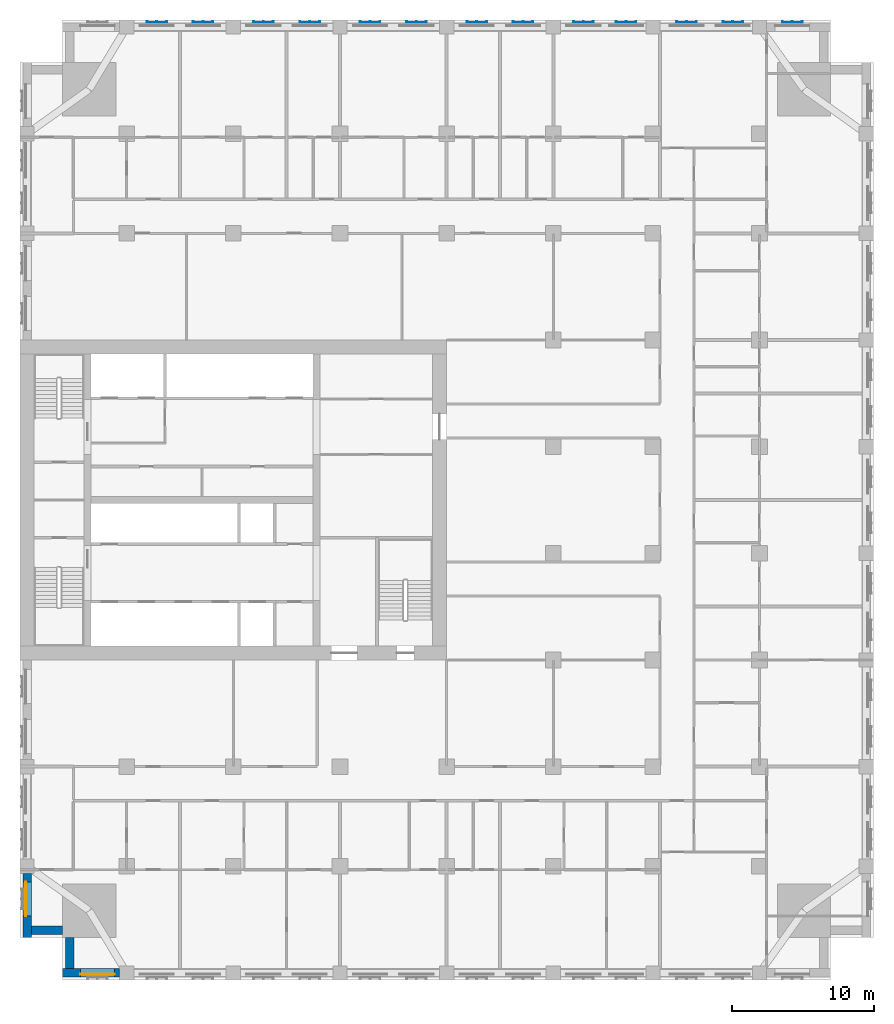
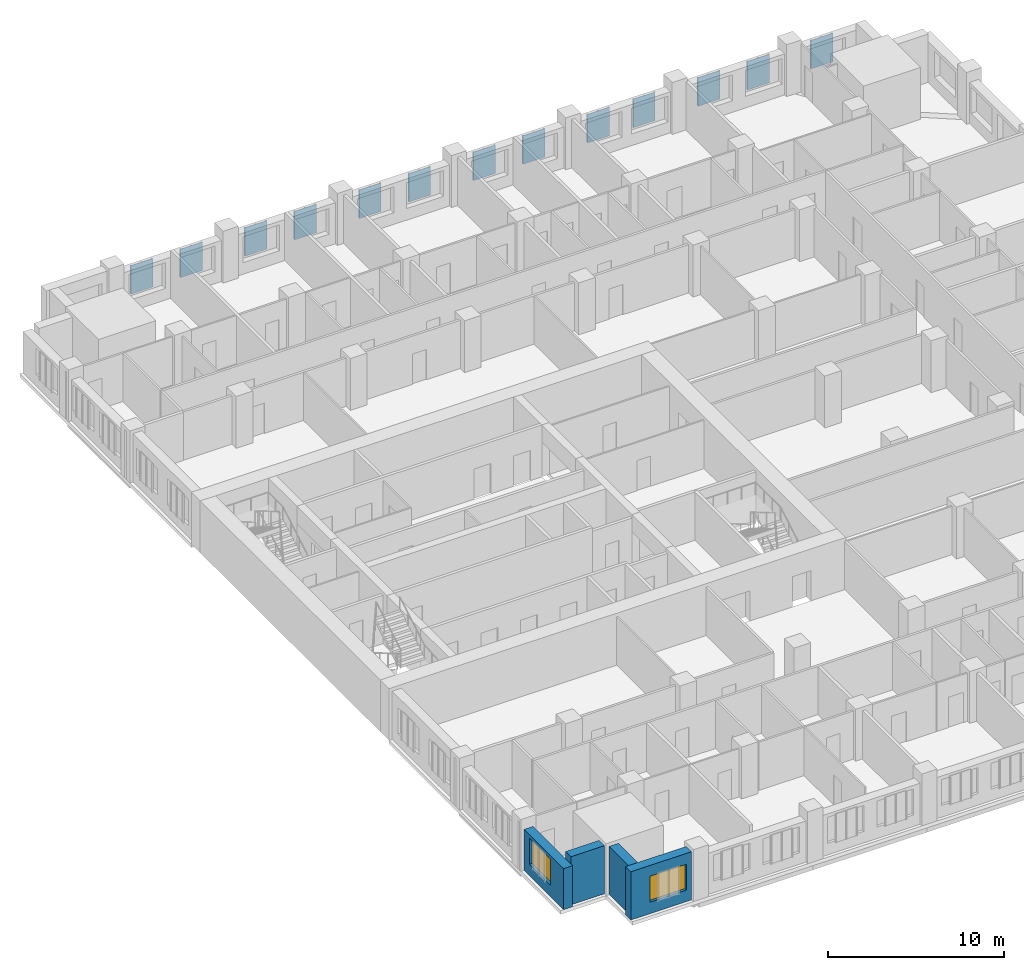
# One storey, part 3 of 14: 13 plates, 4 walls, 2 windows, 2 openings.
"""IFC4 building model written with IfcOpenShell, lengths in metres."""

from ifc_helpers import new_model, si_unit, direction, frame, frame_2d, origin, place, context, subcontext, project, spatial, polyline, rectangle, outline, extrude, material, layer, layer_set, type_object, element, fill, save


model = new_model("IFC4")

# Units and contexts
model_context = context("Model", 3, precision=1e-05, world=origin(), true_north=direction((0.0, 1.0)))
body_context = subcontext(model_context, "Body", "Model", "MODEL_VIEW")
ifc_project = project(units=[si_unit("LENGTHUNIT", "METRE"), si_unit("AREAUNIT", "SQUARE_METRE"), si_unit("VOLUMEUNIT", "CUBIC_METRE"), si_unit("PLANEANGLEUNIT", "RADIAN"), si_unit("MASSUNIT", "GRAM", prefix="KILO")], contexts=[model_context])

# Site, building, storey
site_placement = place(None, origin())
site = spatial("IfcSite", under=ifc_project, at=site_placement, CompositionType="ELEMENT")
building_placement = place(site_placement, origin())
building = spatial("IfcBuilding", under=site, at=building_placement, Name="Tamorin Gate", CompositionType="ELEMENT")
storey_placement = place(building_placement, frame((0.0, 0.0, 93.5)))
storey = spatial("IfcBuildingStorey", under=building, at=storey_placement, Name="L22", CompositionType="ELEMENT", Elevation=93.5)

# Plates
ifc_material_1 = material(Name="Perforated pale aluminium sheet", Category="aluminium")
ifc_layer_1 = layer(ifc_material_1, 0.0400390625)
ifc_layer_set_1 = layer_set([ifc_layer_1], Name="Pale metal solar screen 1440")
plate_type = type_object("IfcPlateType", Name="Pale metal solar screen 1440", PredefinedType="SHEET", material=ifc_layer_set_1)
plate_1_placement = place(storey_placement, frame((0.0, 0.0, 0.7099609375)))
element("IfcPlate", 1, at=plate_1_placement, inside=storey, type_object=plate_type, Name="Perforated solar screen", PredefinedType="SHEET", context=body_context, shape_type="SweptSolid", body=[
    extrude(outline(polyline([(85.02001953125, 104.840087890625), (85.02001953125, 104.800048828125), (84.9599609375, 104.800048828125), (84.330078125, 104.800048828125), (84.27001953125, 104.800048828125), (83.639892578125, 104.800048828125), (83.580078125, 104.800048828125), (83.580078125, 104.840087890625), (83.580078125, 104.89990234375), (83.639892578125, 104.89990234375), (83.639892578125, 104.840087890625), (84.27001953125, 104.840087890625), (84.27001953125, 104.89990234375), (84.330078125, 104.89990234375), (84.330078125, 104.840087890625), (84.9599609375, 104.840087890625), (84.9599609375, 104.89990234375), (85.02001953125, 104.89990234375), (85.02001953125, 104.840087890625)])), origin(), (0.0, 0.0, 1.0), 1.97998046875),
])
plate_2_placement = place(storey_placement, frame((0.0, 0.0, 0.7099609375)))
element("IfcPlate", 2, at=plate_2_placement, inside=storey, type_object=plate_type, Name="Perforated solar screen", PredefinedType="SHEET", context=body_context, shape_type="SweptSolid", body=[
    extrude(outline(polyline([(77.594970703125, 104.840087890625), (77.594970703125, 104.800048828125), (77.534912109375, 104.800048828125), (76.905029296875, 104.800048828125), (76.844970703125, 104.800048828125), (76.215087890625, 104.800048828125), (76.155029296875, 104.800048828125), (76.155029296875, 104.840087890625), (76.155029296875, 104.89990234375), (76.215087890625, 104.89990234375), (76.215087890625, 104.840087890625), (76.844970703125, 104.840087890625), (76.844970703125, 104.89990234375), (76.905029296875, 104.89990234375), (76.905029296875, 104.840087890625), (77.534912109375, 104.840087890625), (77.534912109375, 104.89990234375), (77.594970703125, 104.89990234375), (77.594970703125, 104.840087890625)])), origin(), (0.0, 0.0, 1.0), 1.97998046875),
])
plate_3_placement = place(storey_placement, frame((0.0, 0.0, 0.7099609375)))
element("IfcPlate", 3, at=plate_3_placement, inside=storey, type_object=plate_type, Name="Perforated solar screen", PredefinedType="SHEET", context=body_context, shape_type="SweptSolid", body=[
    extrude(outline(polyline([(80.844970703125, 104.840087890625), (80.844970703125, 104.800048828125), (80.784912109375, 104.800048828125), (80.155029296875, 104.800048828125), (80.094970703125, 104.800048828125), (79.465087890625, 104.800048828125), (79.405029296875, 104.800048828125), (79.405029296875, 104.800048828125), (79.405029296875, 104.840087890625), (79.405029296875, 104.840087890625), (79.405029296875, 104.89990234375), (79.465087890625, 104.89990234375), (79.465087890625, 104.840087890625), (80.094970703125, 104.840087890625), (80.094970703125, 104.89990234375), (80.155029296875, 104.89990234375), (80.155029296875, 104.840087890625), (80.784912109375, 104.840087890625), (80.784912109375, 104.89990234375), (80.844970703125, 104.89990234375), (80.844970703125, 104.840087890625)])), origin(), (0.0, 0.0, 1.0), 1.97998046875),
])
plate_4_placement = place(storey_placement, frame((0.0, 0.0, 0.7099609375)))
element("IfcPlate", 4, at=plate_4_placement, inside=storey, type_object=plate_type, Name="Perforated solar screen", PredefinedType="SHEET", context=body_context, shape_type="SweptSolid", body=[
    extrude(outline(polyline([(70.344970703125, 104.840087890625), (70.344970703125, 104.800048828125), (70.284912109375, 104.800048828125), (69.655029296875, 104.800048828125), (69.594970703125, 104.800048828125), (68.965087890625, 104.800048828125), (68.905029296875, 104.800048828125), (68.905029296875, 104.840087890625), (68.905029296875, 104.89990234375), (68.965087890625, 104.89990234375), (68.965087890625, 104.840087890625), (69.594970703125, 104.840087890625), (69.594970703125, 104.89990234375), (69.655029296875, 104.89990234375), (69.655029296875, 104.840087890625), (70.284912109375, 104.840087890625), (70.284912109375, 104.89990234375), (70.344970703125, 104.89990234375), (70.344970703125, 104.840087890625)])), origin(), (0.0, 0.0, 1.0), 1.97998046875),
])
plate_5_placement = place(storey_placement, frame((0.0, 0.0, 0.7099609375)))
element("IfcPlate", 5, at=plate_5_placement, inside=storey, type_object=plate_type, Name="Perforated solar screen", PredefinedType="SHEET", context=body_context, shape_type="SweptSolid", body=[
    extrude(outline(polyline([(73.344970703125, 104.840087890625), (73.344970703125, 104.800048828125), (73.284912109375, 104.800048828125), (72.655029296875, 104.800048828125), (72.594970703125, 104.800048828125), (71.965087890625, 104.800048828125), (71.905029296875, 104.800048828125), (71.905029296875, 104.840087890625), (71.905029296875, 104.89990234375), (71.965087890625, 104.89990234375), (71.965087890625, 104.840087890625), (72.594970703125, 104.840087890625), (72.594970703125, 104.89990234375), (72.655029296875, 104.89990234375), (72.655029296875, 104.840087890625), (73.284912109375, 104.840087890625), (73.284912109375, 104.89990234375), (73.344970703125, 104.89990234375), (73.344970703125, 104.840087890625)])), origin(), (0.0, 0.0, 1.0), 1.97998046875),
])
plate_6_placement = place(storey_placement, frame((0.0, 0.0, 0.7099609375)))
element("IfcPlate", 6, at=plate_6_placement, inside=storey, type_object=plate_type, Name="Perforated solar screen", PredefinedType="SHEET", context=body_context, shape_type="SweptSolid", body=[
    extrude(outline(polyline([(62.844970703125, 104.840087890625), (62.844970703125, 104.800048828125), (62.784912109375, 104.800048828125), (62.155029296875, 104.800048828125), (62.094970703125, 104.800048828125), (61.465087890625, 104.800048828125), (61.405029296875, 104.800048828125), (61.405029296875, 104.840087890625), (61.405029296875, 104.89990234375), (61.465087890625, 104.89990234375), (61.465087890625, 104.840087890625), (62.094970703125, 104.840087890625), (62.094970703125, 104.89990234375), (62.155029296875, 104.89990234375), (62.155029296875, 104.840087890625), (62.784912109375, 104.840087890625), (62.784912109375, 104.89990234375), (62.844970703125, 104.89990234375), (62.844970703125, 104.840087890625)])), origin(), (0.0, 0.0, 1.0), 1.97998046875),
])
plate_7_placement = place(storey_placement, frame((0.0, 0.0, 0.7099609375)))
element("IfcPlate", 7, at=plate_7_placement, inside=storey, type_object=plate_type, Name="Perforated solar screen", PredefinedType="SHEET", context=body_context, shape_type="SweptSolid", body=[
    extrude(outline(polyline([(66.094970703125, 104.840087890625), (66.094970703125, 104.800048828125), (66.034912109375, 104.800048828125), (65.405029296875, 104.800048828125), (65.344970703125, 104.800048828125), (64.715087890625, 104.800048828125), (64.655029296875, 104.800048828125), (64.655029296875, 104.840087890625), (64.655029296875, 104.89990234375), (64.715087890625, 104.89990234375), (64.715087890625, 104.840087890625), (65.344970703125, 104.840087890625), (65.344970703125, 104.89990234375), (65.405029296875, 104.89990234375), (65.405029296875, 104.840087890625), (66.034912109375, 104.840087890625), (66.034912109375, 104.89990234375), (66.094970703125, 104.89990234375), (66.094970703125, 104.840087890625)])), origin(), (0.0, 0.0, 1.0), 1.97998046875),
])
plate_8_placement = place(storey_placement, frame((0.0, 0.0, 0.7099609375)))
element("IfcPlate", 8, at=plate_8_placement, inside=storey, type_object=plate_type, Name="Perforated solar screen", PredefinedType="SHEET", context=body_context, shape_type="SweptSolid", body=[
    extrude(outline(polyline([(55.344970703125, 104.840087890625), (55.344970703125, 104.800048828125), (55.284912109375, 104.800048828125), (54.655029296875, 104.800048828125), (54.594970703125, 104.800048828125), (53.965087890625, 104.800048828125), (53.905029296875, 104.800048828125), (53.905029296875, 104.840087890625), (53.905029296875, 104.89990234375), (53.965087890625, 104.89990234375), (53.965087890625, 104.840087890625), (54.594970703125, 104.840087890625), (54.594970703125, 104.89990234375), (54.655029296875, 104.89990234375), (54.655029296875, 104.840087890625), (55.284912109375, 104.840087890625), (55.284912109375, 104.89990234375), (55.344970703125, 104.89990234375), (55.344970703125, 104.840087890625)])), origin(), (0.0, 0.0, 1.0), 1.97998046875),
])
plate_9_placement = place(storey_placement, frame((0.0, 0.0, 0.7099609375)))
element("IfcPlate", 9, at=plate_9_placement, inside=storey, type_object=plate_type, Name="Perforated solar screen", PredefinedType="SHEET", context=body_context, shape_type="SweptSolid", body=[
    extrude(outline(polyline([(58.594970703125, 104.840087890625), (58.594970703125, 104.800048828125), (58.534912109375, 104.800048828125), (57.905029296875, 104.800048828125), (57.844970703125, 104.800048828125), (57.215087890625, 104.800048828125), (57.155029296875, 104.800048828125), (57.155029296875, 104.840087890625), (57.155029296875, 104.89990234375), (57.215087890625, 104.89990234375), (57.215087890625, 104.840087890625), (57.844970703125, 104.840087890625), (57.844970703125, 104.89990234375), (57.905029296875, 104.89990234375), (57.905029296875, 104.840087890625), (58.534912109375, 104.840087890625), (58.534912109375, 104.89990234375), (58.594970703125, 104.89990234375), (58.594970703125, 104.840087890625)])), origin(), (0.0, 0.0, 1.0), 1.97998046875),
])
plate_10_placement = place(storey_placement, frame((0.0, 0.0, 0.7099609375)))
element("IfcPlate", 10, at=plate_10_placement, inside=storey, type_object=plate_type, Name="Perforated solar screen", PredefinedType="SHEET", context=body_context, shape_type="SweptSolid", body=[
    extrude(outline(polyline([(47.844970703125, 104.840087890625), (47.844970703125, 104.800048828125), (47.784912109375, 104.800048828125), (47.155029296875, 104.800048828125), (47.094970703125, 104.800048828125), (46.465087890625, 104.800048828125), (46.405029296875, 104.800048828125), (46.405029296875, 104.840087890625), (46.405029296875, 104.89990234375), (46.465087890625, 104.89990234375), (46.465087890625, 104.840087890625), (47.094970703125, 104.840087890625), (47.094970703125, 104.89990234375), (47.155029296875, 104.89990234375), (47.155029296875, 104.840087890625), (47.784912109375, 104.840087890625), (47.784912109375, 104.89990234375), (47.844970703125, 104.89990234375), (47.844970703125, 104.840087890625)])), origin(), (0.0, 0.0, 1.0), 1.97998046875),
])
plate_11_placement = place(storey_placement, frame((0.0, 0.0, 0.7099609375)))
element("IfcPlate", 11, at=plate_11_placement, inside=storey, type_object=plate_type, Name="Perforated solar screen", PredefinedType="SHEET", context=body_context, shape_type="SweptSolid", body=[
    extrude(outline(polyline([(51.094970703125, 104.840087890625), (51.094970703125, 104.800048828125), (51.034912109375, 104.800048828125), (50.405029296875, 104.800048828125), (50.344970703125, 104.800048828125), (49.715087890625, 104.800048828125), (49.655029296875, 104.800048828125), (49.655029296875, 104.840087890625), (49.655029296875, 104.89990234375), (49.715087890625, 104.89990234375), (49.715087890625, 104.840087890625), (50.344970703125, 104.840087890625), (50.344970703125, 104.89990234375), (50.405029296875, 104.89990234375), (50.405029296875, 104.840087890625), (51.034912109375, 104.840087890625), (51.034912109375, 104.89990234375), (51.094970703125, 104.89990234375), (51.094970703125, 104.840087890625)])), origin(), (0.0, 0.0, 1.0), 1.97998046875),
])
plate_12_placement = place(storey_placement, frame((0.0, 0.0, 0.7099609375)))
element("IfcPlate", 12, at=plate_12_placement, inside=storey, type_object=plate_type, Name="Perforated solar screen", PredefinedType="SHEET", context=body_context, shape_type="SweptSolid", body=[
    extrude(outline(polyline([(40.344970703125, 104.840087890625), (40.344970703125, 104.800048828125), (40.284912109375, 104.800048828125), (39.655029296875, 104.800048828125), (39.594970703125, 104.800048828125), (38.965087890625, 104.800048828125), (38.905029296875, 104.800048828125), (38.905029296875, 104.840087890625), (38.905029296875, 104.89990234375), (38.965087890625, 104.89990234375), (38.965087890625, 104.840087890625), (39.594970703125, 104.840087890625), (39.594970703125, 104.89990234375), (39.655029296875, 104.89990234375), (39.655029296875, 104.840087890625), (40.284912109375, 104.840087890625), (40.284912109375, 104.89990234375), (40.344970703125, 104.89990234375), (40.344970703125, 104.840087890625)])), origin(), (0.0, 0.0, 1.0), 1.97998046875),
])
plate_13_placement = place(storey_placement, frame((0.0, 0.0, 0.7099609375)))
element("IfcPlate", 13, at=plate_13_placement, inside=storey, type_object=plate_type, Name="Perforated solar screen", PredefinedType="SHEET", context=body_context, shape_type="SweptSolid", body=[
    extrude(outline(polyline([(43.594970703125, 104.840087890625), (43.594970703125, 104.800048828125), (43.534912109375, 104.800048828125), (42.905029296875, 104.800048828125), (42.844970703125, 104.800048828125), (42.215087890625, 104.800048828125), (42.155029296875, 104.800048828125), (42.155029296875, 104.840087890625), (42.155029296875, 104.89990234375), (42.215087890625, 104.89990234375), (42.215087890625, 104.840087890625), (42.844970703125, 104.840087890625), (42.844970703125, 104.89990234375), (42.905029296875, 104.89990234375), (42.905029296875, 104.840087890625), (43.534912109375, 104.840087890625), (43.534912109375, 104.89990234375), (43.594970703125, 104.89990234375), (43.594970703125, 104.840087890625)])), origin(), (0.0, 0.0, 1.0), 1.97998046875),
])

# Wall, opening, window
ifc_material_2 = material(Name="Precast concrete C40/50", Category="concrete")
ifc_layer_2 = layer(ifc_material_2, 0.60009765625)
ifc_layer_set_2 = layer_set([ifc_layer_2], Name="Precast concrete C40/50")
wall_type = type_object("IfcWallType", Name="Board-marked concrete facade panel 600", PredefinedType="SOLIDWALL", material=ifc_layer_set_2)
wall_1_placement = place(storey_placement, frame((33.0, 38.0, 0.0), z_axis=(0.0, 0.0, 1.0), x_axis=(1.0, 0.0, 0.0)))
wall_1 = element("IfcWall", 14, at=wall_1_placement, inside=storey, type_object=wall_type, Name="Facade panel", PredefinedType="SOLIDWALL", context=body_context, shape_type="SweptSolid", body=[
    extrude(rectangle(XDim=4.0, YDim=0.60009765625, at=frame_2d((2.0, 0.0))), origin(), (0.0, 0.0, 1.0), 3.35009765625),
])
opening_1_placement = place(wall_1_placement, frame((1.25, 0.0, 0.800048828125)))
opening_1 = element("IfcOpeningElement", 15, at=opening_1_placement, cuts=wall_1, Name="Opening WN1", PredefinedType="OPENING", context=body_context, shape_type="SweptSolid", body=[
    extrude(rectangle(XDim=2.39990234375, YDim=1.800048828125, at=frame_2d((1.199951171875, 0.89990234375))), frame((0.0, 0.31005859375, 0.0), z_axis=(0.0, -1.0, 0.0), x_axis=(1.0, 0.0, 0.0)), (0.0, 0.0, 1.0), 0.6201171875),
])
ifc_material_3 = material(Name="Clear glass in aluminium frame", Category="aluminium")
window_type = type_object("IfcWindowType", Name="Deep-set window 2400x1800", PartitioningType="SINGLE_PANEL", PredefinedType="WINDOW", material=ifc_material_3)
window_1_placement = place(opening_1_placement, origin())
window_1 = element("IfcWindow", 16, at=window_1_placement, inside=storey, type_object=window_type, Name="Deep-set window", OverallHeight=1.800048828125, OverallWidth=2.39990234375, PartitioningType="SINGLE_PANEL", PredefinedType="WINDOW", context=body_context, shape_type="SweptSolid", body=[
    extrude(rectangle(XDim=2.39990234375, YDim=1.800048828125, at=frame_2d((1.199951171875, 0.89990234375))), frame((0.0, -0.070068359375, 0.0), z_axis=(0.0, -1.0, 0.0), x_axis=(1.0, 0.0, 0.0)), (0.0, 0.0, 1.0), 0.06005859375),
])
fill(opening_1, window_1)

wall_2_placement = place(storey_placement, frame((30.5, 45.0, 0.0), z_axis=(0.0, 0.0, 1.0), x_axis=(0.0, -1.0, 0.0)))
wall_2 = element("IfcWall", 17, at=wall_2_placement, inside=storey, type_object=wall_type, Name="Facade panel", PredefinedType="SOLIDWALL", context=body_context, shape_type="SweptSolid", body=[
    extrude(rectangle(XDim=4.5, YDim=0.60009765625, at=frame_2d((2.25, 0.0))), origin(), (0.0, 0.0, 1.0), 2.85009765625),
])
opening_2_placement = place(wall_2_placement, frame((0.60009765625, 0.0, 0.800048828125)))
opening_2 = element("IfcOpeningElement", 18, at=opening_2_placement, cuts=wall_2, Name="Opening WN1", PredefinedType="OPENING", context=body_context, shape_type="SweptSolid", body=[
    extrude(rectangle(XDim=2.39990234375, YDim=1.800048828125, at=frame_2d((1.199951171875, 0.89990234375))), frame((0.0, 0.31005859375, 0.0), z_axis=(0.0, -1.0, 0.0), x_axis=(1.0, 0.0, 0.0)), (0.0, 0.0, 1.0), 0.6201171875),
])
window_2_placement = place(opening_2_placement, origin())
window_2 = element("IfcWindow", 19, at=window_2_placement, inside=storey, type_object=window_type, Name="Deep-set window", OverallHeight=1.800048828125, OverallWidth=2.39990234375, PartitioningType="SINGLE_PANEL", PredefinedType="WINDOW", context=body_context, shape_type="SweptSolid", body=[
    extrude(rectangle(XDim=2.39990234375, YDim=1.800048828125, at=frame_2d((1.199951171875, 0.89990234375))), frame((0.0, -0.070068359375, 0.0), z_axis=(0.0, -1.0, 0.0), x_axis=(1.0, 0.0, 0.0)), (0.0, 0.0, 1.0), 0.06005859375),
])
fill(opening_2, window_2)

# Walls
for number, where, z_axis, x_axis, name in (
    (20, (30.800048828125, 41.0, 0.0), (0.0, 0.0, 1.0), (1.0, 0.0, 0.0), "Facade panel"),
    (21, (33.5, 40.5, 0.0), (0.0, 0.0, 1.0), (0.0, -1.0, 0.0), "Facade panel"),
):
    element("IfcWall", number, at=place(storey_placement, frame(where, z_axis=z_axis, x_axis=x_axis)), inside=storey, type_object=wall_type, Name=name, PredefinedType="SOLIDWALL", context=body_context, shape_type="SweptSolid", body=[
        extrude(rectangle(XDim=2.199951171875, YDim=0.60009765625, at=frame_2d((1.10009765625, 0.0))), origin(), (0.0, 0.0, 1.0), 3.35009765625),
    ])

save(model, "model.ifc")
